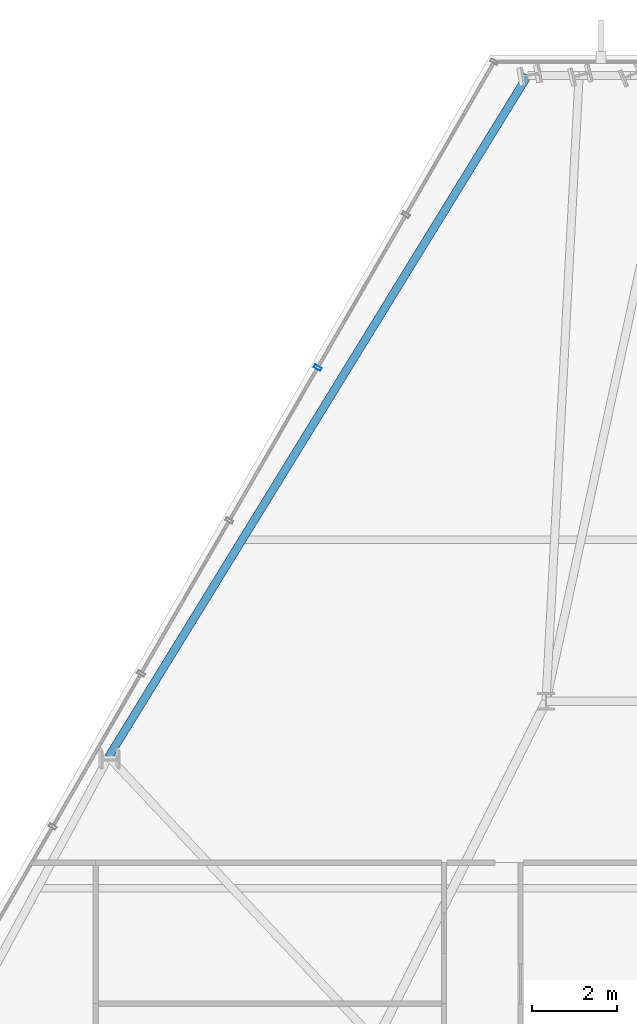
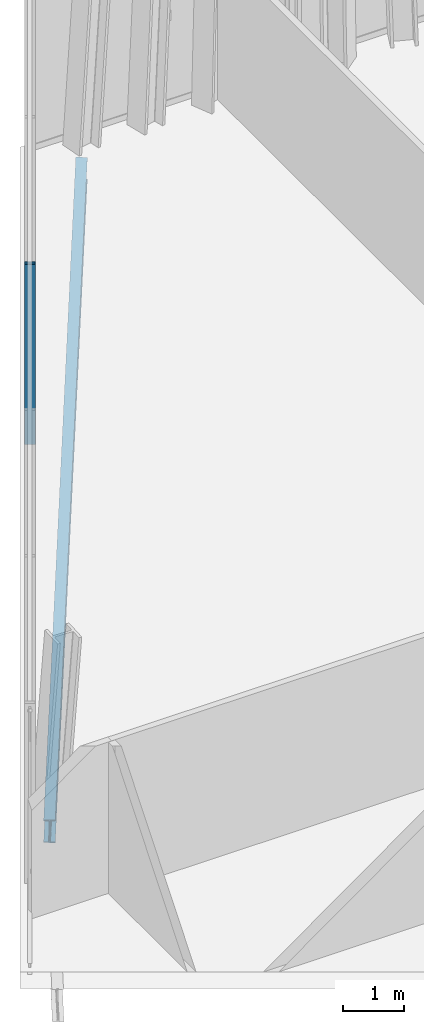
# One storey, part 22 of 35: 1 beam, 1 member, 1 element without a shape of its own.
"""IFC4 building model written with IfcOpenShell, lengths in metres."""

from ifc_helpers import new_model, si_unit, direction, frame, origin, origin_2d, place, context, subcontext, project, spatial, hollow_rectangle, i_section, extrude, material, layer, layer_set, material_profile, profile_set, type_object, element, aggregate, save


model = new_model("IFC4")

# Units and contexts
model_context = context("Model", 3, precision=1e-05, world=origin(), true_north=direction((0.0, 1.0)))
body_context = subcontext(model_context, "Body", "Model", "MODEL_VIEW")
ifc_project = project(units=[si_unit("LENGTHUNIT", "METRE"), si_unit("AREAUNIT", "SQUARE_METRE"), si_unit("VOLUMEUNIT", "CUBIC_METRE"), si_unit("PLANEANGLEUNIT", "RADIAN"), si_unit("MASSUNIT", "GRAM", prefix="KILO")], contexts=[model_context])

# Site, building, storey
site_placement = place(None, origin())
site = spatial("IfcSite", under=ifc_project, at=site_placement, CompositionType="ELEMENT")
building_placement = place(site_placement, origin())
building = spatial("IfcBuilding", under=site, at=building_placement, Name="Ndaravel Arena Tower", CompositionType="ELEMENT")
storey_placement = place(building_placement, frame((0.0, 0.0, 180.199951171875)))
storey = spatial("IfcBuildingStorey", under=building, at=storey_placement, Name="L43", CompositionType="ELEMENT", Elevation=180.199951171875)

# Beam
ifc_material_1 = material(Name="Steel S355", Category="steel")
ifc_material_profile_1 = material_profile(ifc_material_1, i_section(OverallWidth=0.18994140625, OverallDepth=0.449951171875, WebThickness=0.009521484375, FlangeThickness=0.0146484375, FilletRadius=0.02099609375, at=origin_2d()), Name="IPE 450")
ifc_profile_set_1 = profile_set([ifc_material_profile_1], Name="Steel S355")
beam_type = type_object("IfcBeamType", Name="BM-SPAN-IPE450", PredefinedType="SPANDREL", material=ifc_profile_set_1)
beam_placement = place(storey_placement, frame((37.770263671875, 45.92822265625, -0.445068359375), z_axis=(-0.523878923011, -0.851792741238, 0.0), x_axis=(0.851792741238, -0.523878923011, 0.0)))
element("IfcBeam", 1, at=beam_placement, inside=storey, type_object=beam_type, Name="L43 Perimeter Spandrel Beam SP-18", PredefinedType="SPANDREL", context=body_context, shape_type="SweptSolid", body=[
    extrude(i_section(OverallWidth=0.18994140625, OverallDepth=0.449951171875, WebThickness=0.009521484375, FlangeThickness=0.0146484375, FilletRadius=0.02099609375, at=origin_2d()), origin(), (0.0, 0.0, 1.0), 18.828369140625),
])

# Curtain wall, member
ifc_material_2 = material(Name="Aluminium", Category="aluminium")
ifc_layer = layer(ifc_material_2, 0.179931640625)
ifc_layer_set = layer_set([ifc_layer], Name="Aluminium")
curtain_wall_type = type_object("IfcCurtainWallType", Name="CW-SYS-03", PredefinedType="NOTDEFINED", material=ifc_layer_set)
curtain_wall_placement = place(storey_placement, origin())
curtain_wall = element("IfcCurtainWall", 2, at=curtain_wall_placement, inside=storey, type_object=curtain_wall_type, Name="L43 Faceted Crystal Curtain Wall CW-L43-E05", PredefinedType="NOTDEFINED")
ifc_material_3 = material(Name="Aluminium", Category="aluminium")
ifc_material_profile_2 = material_profile(ifc_material_3, hollow_rectangle(XDim=0.074951171875, YDim=0.179931640625, WallThickness=0.00390625, at=origin_2d()), Name="CW MULLION 75x180x4")
ifc_profile_set_2 = profile_set([ifc_material_profile_2], Name="Aluminium")
member_type = type_object("IfcMemberType", Name="MEM-CW-MUL180", PredefinedType="MULLION", material=ifc_profile_set_2)
member_placement = place(storey_placement, frame((32.824951171875, 39.04931640625, 0.0), z_axis=(0.0, 0.0, 1.0), x_axis=(-0.5, -0.866025403784, 0.0)))
member = element("IfcMember", 3, at=member_placement, type_object=member_type, Name="CW-L43-E05 Mullion 02", PredefinedType="MULLION", context=body_context, shape_type="SweptSolid", body=[
    extrude(hollow_rectangle(XDim=0.074951171875, YDim=0.179931640625, WallThickness=0.00390625, at=origin_2d()), origin(), (0.0, 0.0, 1.0), 3.580078125),
])
aggregate(curtain_wall, [member])

save(model, "model.ifc")
